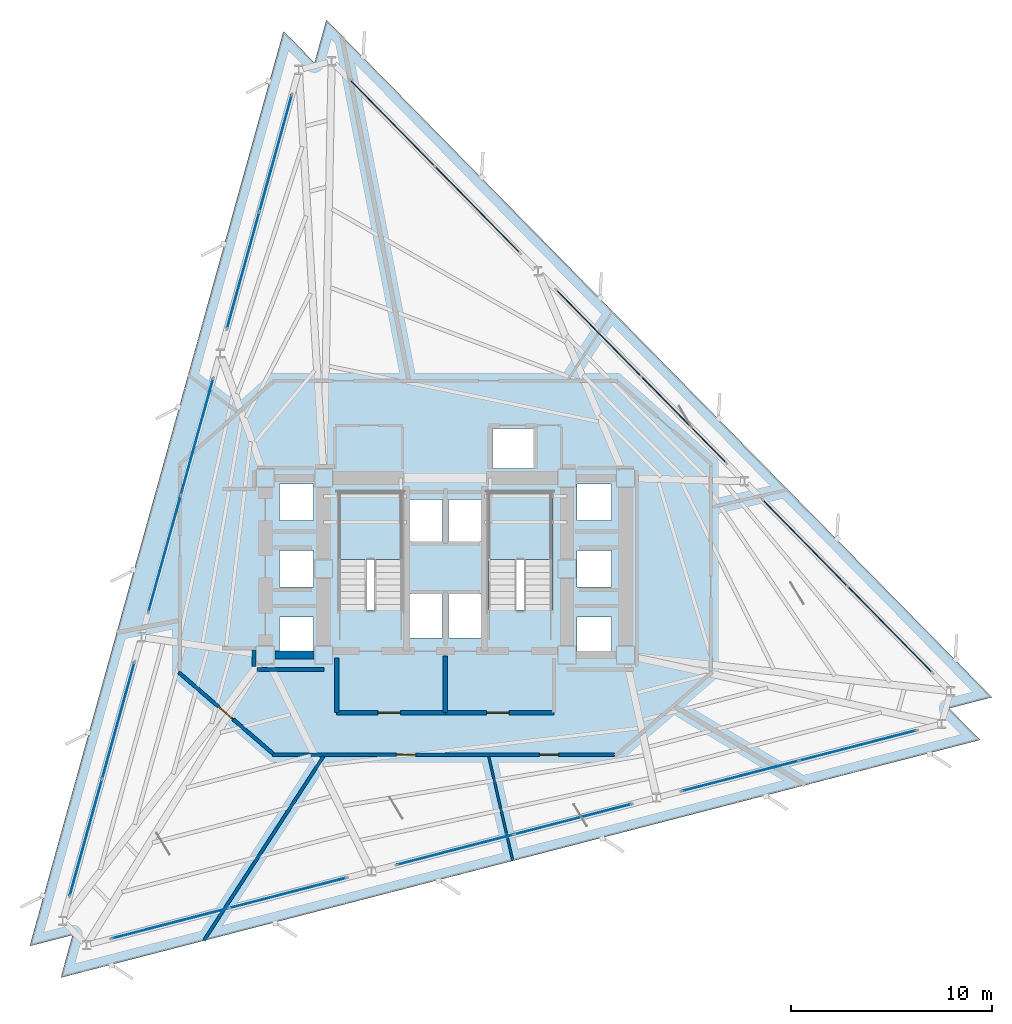
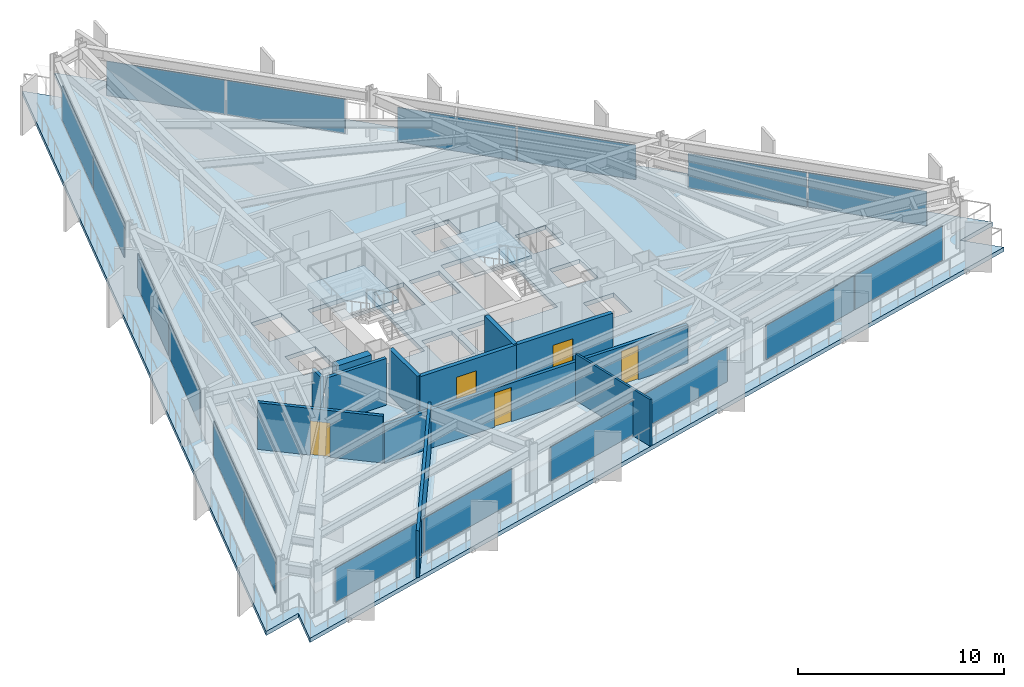
# One storey, part 6 of 11: 18 plates, 11 walls, 5 doors, 3 slabs, 5 openings, 11 elements without a shape of their own.
"""IFC4 building model written with IfcOpenShell, lengths in metres."""

from ifc_helpers import new_model, si_unit, direction, frame, frame_2d, origin, origin_2d, place, context, subcontext, project, spatial, polyline, rectangle, outline, extrude, material, layer, layer_set, type_object, element, fill, aggregate, save


model = new_model("IFC4")

# Units and contexts
model_context = context("Model", 3, precision=1e-05, world=origin(), true_north=direction((0.0, 1.0)))
body_context = subcontext(model_context, "Body", "Model", "MODEL_VIEW")
ifc_project = project(units=[si_unit("LENGTHUNIT", "METRE"), si_unit("AREAUNIT", "SQUARE_METRE"), si_unit("VOLUMEUNIT", "CUBIC_METRE"), si_unit("PLANEANGLEUNIT", "RADIAN"), si_unit("MASSUNIT", "GRAM", prefix="KILO")], contexts=[model_context])

# Site, building, storey
site_placement = place(None, origin())
site = spatial("IfcSite", under=ifc_project, at=site_placement, CompositionType="ELEMENT")
building_placement = place(site_placement, origin())
building = spatial("IfcBuilding", under=site, at=building_placement, Name="Rocaltana Carrier Exchange", CompositionType="ELEMENT")
storey_placement = place(building_placement, frame((0.0, 0.0, 82.56005859375)))
storey = spatial("IfcBuildingStorey", under=building, at=storey_placement, Name="L25", CompositionType="ELEMENT", Elevation=82.56005859375)

# Curtain wall, plates
ifc_material_1 = material(Name="Aluminium 6063-T6", Category="aluminium")
ifc_layer_1 = layer(ifc_material_1, 0.1650390625)
ifc_layer_set_1 = layer_set([ifc_layer_1], Name="Aluminium 6063-T6")
curtain_wall_type = type_object("IfcCurtainWallType", Name="Lower-Mid Stepped Curtain Wall CW-02", PredefinedType="NOTDEFINED", material=ifc_layer_set_1)
curtain_wall_1_placement = place(storey_placement, origin())
curtain_wall_1 = element("IfcCurtainWall", 1, at=curtain_wall_1_placement, inside=storey, type_object=curtain_wall_type, Name="L25 CW-02 Run CW-L25-F1S1", PredefinedType="NOTDEFINED")
ifc_material_2 = material(Name="Tempered Laminated Glass", Category="glass")
ifc_layer_2 = layer(ifc_material_2, 0.0419921875)
ifc_layer_set_2 = layer_set([ifc_layer_2], Name="Tempered Laminated Glass")
plate_type = type_object("IfcPlateType", Name="CW-02 Stone-Insulated Vision Panel", PredefinedType="CURTAIN_PANEL", material=ifc_layer_set_2)
plate_1_placement = place(storey_placement, frame((22.10400390625, -3.02490234375, 0.06494140625), z_axis=(0.0, 0.0, 1.0), x_axis=(-0.700915045542, 0.713244767898, 0.0)))
plate_1 = element("IfcPlate", 2, at=plate_1_placement, type_object=plate_type, Name="CW-02 panel 1.1", PredefinedType="CURTAIN_PANEL", context=body_context, shape_type="SweptSolid", body=[
    extrude(rectangle(XDim=5.96923828125, YDim=0.0419921875, at=origin_2d()), origin(), (0.0, 0.0, 1.0), 2.0380859375),
])
plate_2_placement = place(storey_placement, frame((17.874755859375, 1.279052734375, 0.06494140625), z_axis=(0.0, 0.0, 1.0), x_axis=(-0.700915045542, 0.713244767898, 0.0)))
plate_2 = element("IfcPlate", 3, at=plate_2_placement, type_object=plate_type, Name="CW-02 panel 2.1", PredefinedType="CURTAIN_PANEL", context=body_context, shape_type="SweptSolid", body=[
    extrude(rectangle(XDim=5.96923828125, YDim=0.0419921875, at=origin_2d()), origin(), (0.0, 0.0, 1.0), 2.0380859375),
])
aggregate(curtain_wall_1, [plate_1, plate_2])

curtain_wall_2_placement = place(storey_placement, origin())
curtain_wall_2 = element("IfcCurtainWall", 4, at=curtain_wall_2_placement, inside=storey, type_object=curtain_wall_type, Name="L25 CW-02 Run CW-L25-F1S2", PredefinedType="NOTDEFINED")
plate_3_placement = place(storey_placement, frame((11.847412109375, 7.412353515625, 0.06494140625), z_axis=(0.0, 0.0, 1.0), x_axis=(-0.700915118017, 0.713244696676, 0.0)))
plate_3 = element("IfcPlate", 5, at=plate_3_placement, type_object=plate_type, Name="CW-02 panel 1.1", PredefinedType="CURTAIN_PANEL", context=body_context, shape_type="SweptSolid", body=[
    extrude(rectangle(XDim=5.96923828125, YDim=0.0419921875, at=origin_2d()), origin(), (0.0, 0.0, 1.0), 2.0380859375),
])
plate_4_placement = place(storey_placement, frame((7.617919921875, 11.71630859375, 0.06494140625), z_axis=(0.0, 0.0, 1.0), x_axis=(-0.700915118017, 0.713244696676, 0.0)))
plate_4 = element("IfcPlate", 6, at=plate_4_placement, type_object=plate_type, Name="CW-02 panel 2.1", PredefinedType="CURTAIN_PANEL", context=body_context, shape_type="SweptSolid", body=[
    extrude(rectangle(XDim=5.96923828125, YDim=0.0419921875, at=origin_2d()), origin(), (0.0, 0.0, 1.0), 2.0380859375),
])
aggregate(curtain_wall_2, [plate_3, plate_4])

curtain_wall_3_placement = place(storey_placement, origin())
curtain_wall_3 = element("IfcCurtainWall", 7, at=curtain_wall_3_placement, inside=storey, type_object=curtain_wall_type, Name="L25 CW-02 Run CW-L25-F1S3", PredefinedType="NOTDEFINED")
plate_5_placement = place(storey_placement, frame((1.5908203125, 17.849609375, 0.06494140625), z_axis=(0.0, 0.0, 1.0), x_axis=(-0.700915045542, 0.713244767898, 0.0)))
plate_5 = element("IfcPlate", 8, at=plate_5_placement, type_object=plate_type, Name="CW-02 panel 1.1", PredefinedType="CURTAIN_PANEL", context=body_context, shape_type="SweptSolid", body=[
    extrude(rectangle(XDim=5.96923828125, YDim=0.0419921875, at=origin_2d()), origin(), (0.0, 0.0, 1.0), 2.0380859375),
])
plate_6_placement = place(storey_placement, frame((-2.638671875, 22.153564453125, 0.06494140625), z_axis=(0.0, 0.0, 1.0), x_axis=(-0.700915045542, 0.713244767898, 0.0)))
plate_6 = element("IfcPlate", 9, at=plate_6_placement, type_object=plate_type, Name="CW-02 panel 2.1", PredefinedType="CURTAIN_PANEL", context=body_context, shape_type="SweptSolid", body=[
    extrude(rectangle(XDim=5.96923828125, YDim=0.0419921875, at=origin_2d()), origin(), (0.0, 0.0, 1.0), 2.0380859375),
])
aggregate(curtain_wall_3, [plate_5, plate_6])

curtain_wall_4_placement = place(storey_placement, origin())
curtain_wall_4 = element("IfcCurtainWall", 10, at=curtain_wall_4_placement, inside=storey, type_object=curtain_wall_type, Name="L25 CW-02 Run CW-L25-F2S1", PredefinedType="NOTDEFINED")
plate_7_placement = place(storey_placement, frame((-8.432373046875, 20.655029296875, 0.06494140625), z_axis=(0.0, 0.0, 1.0), x_axis=(-0.267245546918, -0.96362846453, 0.0)))
plate_7 = element("IfcPlate", 11, at=plate_7_placement, type_object=plate_type, Name="CW-02 panel 1.1", PredefinedType="CURTAIN_PANEL", context=body_context, shape_type="SweptSolid", body=[
    extrude(rectangle(XDim=5.96923828125, YDim=0.0419921875, at=origin_2d()), origin(), (0.0, 0.0, 1.0), 2.0380859375),
])
plate_8_placement = place(storey_placement, frame((-10.045166015625, 14.84033203125, 0.06494140625), z_axis=(0.0, 0.0, 1.0), x_axis=(-0.267245546918, -0.96362846453, 0.0)))
plate_8 = element("IfcPlate", 12, at=plate_8_placement, type_object=plate_type, Name="CW-02 panel 2.1", PredefinedType="CURTAIN_PANEL", context=body_context, shape_type="SweptSolid", body=[
    extrude(rectangle(XDim=5.96923828125, YDim=0.0419921875, at=origin_2d()), origin(), (0.0, 0.0, 1.0), 2.0380859375),
])
aggregate(curtain_wall_4, [plate_7, plate_8])

curtain_wall_5_placement = place(storey_placement, origin())
curtain_wall_5 = element("IfcCurtainWall", 13, at=curtain_wall_5_placement, inside=storey, type_object=curtain_wall_type, Name="L25 CW-02 Run CW-L25-F2S2", PredefinedType="NOTDEFINED")
plate_9_placement = place(storey_placement, frame((-12.343017578125, 6.553955078125, 0.06494140625), z_axis=(0.0, 0.0, 1.0), x_axis=(-0.267237893807, -0.963630586954, 0.0)))
plate_9 = element("IfcPlate", 14, at=plate_9_placement, type_object=plate_type, Name="CW-02 panel 1.1", PredefinedType="CURTAIN_PANEL", context=body_context, shape_type="SweptSolid", body=[
    extrude(rectangle(XDim=5.96923828125, YDim=0.0419921875, at=origin_2d()), origin(), (0.0, 0.0, 1.0), 2.0380859375),
])
plate_10_placement = place(storey_placement, frame((-13.95556640625, 0.7392578125, 0.06494140625), z_axis=(0.0, 0.0, 1.0), x_axis=(-0.267237893807, -0.963630586954, 0.0)))
plate_10 = element("IfcPlate", 15, at=plate_10_placement, type_object=plate_type, Name="CW-02 panel 2.1", PredefinedType="CURTAIN_PANEL", context=body_context, shape_type="SweptSolid", body=[
    extrude(rectangle(XDim=5.96923828125, YDim=0.0419921875, at=origin_2d()), origin(), (0.0, 0.0, 1.0), 2.0380859375),
])
aggregate(curtain_wall_5, [plate_9, plate_10])

curtain_wall_6_placement = place(storey_placement, origin())
curtain_wall_6 = element("IfcCurtainWall", 16, at=curtain_wall_6_placement, inside=storey, type_object=curtain_wall_type, Name="L25 CW-02 Run CW-L25-F2S3", PredefinedType="NOTDEFINED")
plate_11_placement = place(storey_placement, frame((-16.253662109375, -7.547119140625, 0.06494140625), z_axis=(0.0, 0.0, 1.0), x_axis=(-0.267243424491, -0.963629053146, 0.0)))
plate_11 = element("IfcPlate", 17, at=plate_11_placement, type_object=plate_type, Name="CW-02 panel 1.1", PredefinedType="CURTAIN_PANEL", context=body_context, shape_type="SweptSolid", body=[
    extrude(rectangle(XDim=5.96923828125, YDim=0.0419921875, at=origin_2d()), origin(), (0.0, 0.0, 1.0), 2.0380859375),
])
plate_12_placement = place(storey_placement, frame((-17.8662109375, -13.36181640625, 0.06494140625), z_axis=(0.0, 0.0, 1.0), x_axis=(-0.267243424491, -0.963629053146, 0.0)))
plate_12 = element("IfcPlate", 18, at=plate_12_placement, type_object=plate_type, Name="CW-02 panel 2.1", PredefinedType="CURTAIN_PANEL", context=body_context, shape_type="SweptSolid", body=[
    extrude(rectangle(XDim=5.96923828125, YDim=0.0419921875, at=origin_2d()), origin(), (0.0, 0.0, 1.0), 2.0380859375),
])
aggregate(curtain_wall_6, [plate_11, plate_12])

curtain_wall_7_placement = place(storey_placement, origin())
curtain_wall_7 = element("IfcCurtainWall", 19, at=curtain_wall_7_placement, inside=storey, type_object=curtain_wall_type, Name="L25 CW-02 Run CW-L25-F3S1", PredefinedType="NOTDEFINED")
plate_13_placement = place(storey_placement, frame((-13.671630859375, -17.63037109375, 0.06494140625), z_axis=(0.0, 0.0, 1.0), x_axis=(0.968148220548, 0.250377760692, 0.0)))
plate_13 = element("IfcPlate", 20, at=plate_13_placement, type_object=plate_type, Name="CW-02 panel 1.1", PredefinedType="CURTAIN_PANEL", context=body_context, shape_type="SweptSolid", body=[
    extrude(rectangle(XDim=5.96923828125, YDim=0.0419921875, at=origin_2d()), origin(), (0.0, 0.0, 1.0), 2.0380859375),
])
plate_14_placement = place(storey_placement, frame((-7.82958984375, -16.119384765625, 0.06494140625), z_axis=(0.0, 0.0, 1.0), x_axis=(0.968148220548, 0.250377760692, 0.0)))
plate_14 = element("IfcPlate", 21, at=plate_14_placement, type_object=plate_type, Name="CW-02 panel 2.1", PredefinedType="CURTAIN_PANEL", context=body_context, shape_type="SweptSolid", body=[
    extrude(rectangle(XDim=5.96923828125, YDim=0.0419921875, at=origin_2d()), origin(), (0.0, 0.0, 1.0), 2.0380859375),
])
aggregate(curtain_wall_7, [plate_13, plate_14])

curtain_wall_8_placement = place(storey_placement, origin())
curtain_wall_8 = element("IfcCurtainWall", 22, at=curtain_wall_8_placement, inside=storey, type_object=curtain_wall_type, Name="L25 CW-02 Run CW-L25-F3S2", PredefinedType="NOTDEFINED")
plate_15_placement = place(storey_placement, frame((0.49560546875, -13.96630859375, 0.06494140625), z_axis=(0.0, 0.0, 1.0), x_axis=(0.968148220548, 0.250377760692, 0.0)))
plate_15 = element("IfcPlate", 23, at=plate_15_placement, type_object=plate_type, Name="CW-02 panel 1.1", PredefinedType="CURTAIN_PANEL", context=body_context, shape_type="SweptSolid", body=[
    extrude(rectangle(XDim=5.96923828125, YDim=0.0419921875, at=origin_2d()), origin(), (0.0, 0.0, 1.0), 2.0380859375),
])
plate_16_placement = place(storey_placement, frame((6.337646484375, -12.45556640625, 0.06494140625), z_axis=(0.0, 0.0, 1.0), x_axis=(0.968148220548, 0.250377760692, 0.0)))
plate_16 = element("IfcPlate", 24, at=plate_16_placement, type_object=plate_type, Name="CW-02 panel 2.1", PredefinedType="CURTAIN_PANEL", context=body_context, shape_type="SweptSolid", body=[
    extrude(rectangle(XDim=5.96923828125, YDim=0.0419921875, at=origin_2d()), origin(), (0.0, 0.0, 1.0), 2.0380859375),
])
aggregate(curtain_wall_8, [plate_15, plate_16])

curtain_wall_9_placement = place(storey_placement, origin())
curtain_wall_9 = element("IfcCurtainWall", 25, at=curtain_wall_9_placement, inside=storey, type_object=curtain_wall_type, Name="L25 CW-02 Run CW-L25-F3S3", PredefinedType="NOTDEFINED")
plate_17_placement = place(storey_placement, frame((14.662841796875, -10.302490234375, 0.06494140625), z_axis=(0.0, 0.0, 1.0), x_axis=(0.96815021836, 0.250370035526, 0.0)))
plate_17 = element("IfcPlate", 26, at=plate_17_placement, type_object=plate_type, Name="CW-02 panel 1.1", PredefinedType="CURTAIN_PANEL", context=body_context, shape_type="SweptSolid", body=[
    extrude(rectangle(XDim=5.96923828125, YDim=0.0419921875, at=origin_2d()), origin(), (0.0, 0.0, 1.0), 2.0380859375),
])
plate_18_placement = place(storey_placement, frame((20.5048828125, -8.791748046875, 0.06494140625), z_axis=(0.0, 0.0, 1.0), x_axis=(0.96815021836, 0.250370035526, 0.0)))
plate_18 = element("IfcPlate", 27, at=plate_18_placement, type_object=plate_type, Name="CW-02 panel 2.1", PredefinedType="CURTAIN_PANEL", context=body_context, shape_type="SweptSolid", body=[
    extrude(rectangle(XDim=5.96923828125, YDim=0.0419921875, at=origin_2d()), origin(), (0.0, 0.0, 1.0), 2.0380859375),
])
aggregate(curtain_wall_9, [plate_17, plate_18])

# Slab
ifc_material_3 = material(Name="Concrete C50/60", Category="concrete")
ifc_layer_3 = layer(ifc_material_3, 0.25)
ifc_layer_set_3 = layer_set([ifc_layer_3], Name="Concrete C50/60")
slab_type_1 = type_object("IfcSlabType", Name="Mid-Zone Tower Slab 250", PredefinedType="FLOOR", material=ifc_layer_set_3)
slab_1_placement = place(storey_placement, frame((0.0, 0.0, -0.25)))
element("IfcSlab", 28, at=slab_1_placement, inside=storey, type_object=slab_type_1, Name="L25 Structural Floor Slab", PredefinedType="FLOOR", context=body_context, shape_type="SweptSolid", body=[
    extrude(outline(polyline([(26.577880859375, -8.51220703125), (25.035888671875, -6.943115234375), (27.165771484375, -6.39208984375), (-5.9169921875, 27.273193359375), (-6.505126953125, 25.1533203125), (-8.047119140625, 26.722412109375), (-20.66064453125, -18.760986328125), (-18.53076171875, -18.210205078125), (-19.11865234375, -20.330078125), (26.577880859375, -8.51220703125)]), holes=[polyline([(-5.300048828125, -2.06005859375), (-2.139892578125, -2.06005859375), (-2.139892578125, 3.800048828125), (-5.300048828125, 3.800048828125), (-5.300048828125, -2.06005859375)]), polyline([(2.139892578125, -2.06005859375), (5.300048828125, -2.06005859375), (5.300048828125, 3.800048828125), (2.139892578125, 3.800048828125), (2.139892578125, -2.06005859375)]), polyline([(-1.85009765625, -3.449951171875), (-0.14990234375, -3.449951171875), (-0.14990234375, -1.25), (-1.85009765625, -1.25), (-1.85009765625, -3.449951171875)]), polyline([(0.14990234375, -3.449951171875), (1.85009765625, -3.449951171875), (1.85009765625, -1.25), (0.14990234375, -1.25), (0.14990234375, -3.449951171875)]), polyline([(2.35009765625, 4.97998046875), (4.39990234375, 4.97998046875), (4.39990234375, 6.97998046875), (2.35009765625, 6.97998046875), (2.35009765625, 4.97998046875)]), polyline([(-1.85009765625, 1.35009765625), (-0.14990234375, 1.35009765625), (-0.14990234375, 3.449951171875), (-1.85009765625, 3.449951171875), (-1.85009765625, 1.35009765625)]), polyline([(0.14990234375, 1.35009765625), (1.85009765625, 1.35009765625), (1.85009765625, 3.449951171875), (0.14990234375, 3.449951171875), (0.14990234375, 1.35009765625)]), polyline([(-8.25, -4.199951171875), (-6.550048828125, -4.199951171875), (-6.550048828125, -2.39990234375), (-8.25, -2.39990234375), (-8.25, -4.199951171875)]), polyline([(-8.25, -0.89990234375), (-6.550048828125, -0.89990234375), (-6.550048828125, 0.89990234375), (-8.25, 0.89990234375), (-8.25, -0.89990234375)]), polyline([(-8.25, 2.39990234375), (-6.550048828125, 2.39990234375), (-6.550048828125, 4.199951171875), (-8.25, 4.199951171875), (-8.25, 2.39990234375)]), polyline([(6.550048828125, -4.199951171875), (8.25, -4.199951171875), (8.25, -2.39990234375), (6.550048828125, -2.39990234375), (6.550048828125, -4.199951171875)]), polyline([(6.550048828125, -0.89990234375), (8.25, -0.89990234375), (8.25, 0.89990234375), (6.550048828125, 0.89990234375), (6.550048828125, -0.89990234375)]), polyline([(6.550048828125, 2.39990234375), (8.25, 2.39990234375), (8.25, 4.199951171875), (6.550048828125, 4.199951171875), (6.550048828125, 2.39990234375)])]), origin(), (0.0, 0.0, 1.0), 0.25),
])

# Stair, slab
ifc_material_4 = material(Name="Precast concrete C45/55", Category="concrete")
stair_type = type_object("IfcStairType", Name="Standard Dog-Leg Stair 160", PredefinedType="HALF_TURN_STAIR", material=ifc_material_4)
stair_1_placement = place(storey_placement, origin())
stair_1 = element("IfcStair", 29, at=stair_1_placement, inside=storey, type_object=stair_type, Name="L25 Core West Exit Stair ST-1", PredefinedType="HALF_TURN_STAIR")
ifc_material_5 = material(Name="Precast concrete C45/55", Category="concrete")
ifc_layer_4 = layer(ifc_material_5, 0.199951171875)
ifc_layer_set_4 = layer_set([ifc_layer_4], Name="Precast concrete C45/55")
slab_type_2 = type_object("IfcSlabType", Name="Precast Stair Half-Landing 200", PredefinedType="LANDING", material=ifc_layer_set_4)
slab_2_placement = place(storey_placement, frame((0.0, 0.0, 1.31982421875)))
slab_2 = element("IfcSlab", 30, at=slab_2_placement, type_object=slab_type_2, Name="ST-1 landing 1", PredefinedType="LANDING", context=body_context, shape_type="SweptSolid", body=[
    extrude(outline(polyline([(-2.139892578125, 0.4599609375), (-2.139892578125, 3.800048828125), (-5.300048828125, 3.800048828125), (-5.300048828125, 0.4599609375), (-2.139892578125, 0.4599609375)])), origin(), (0.0, 0.0, 1.0), 0.2001953125),
])
aggregate(stair_1, [slab_2])

stair_2_placement = place(storey_placement, origin())
stair_2 = element("IfcStair", 31, at=stair_2_placement, inside=storey, type_object=stair_type, Name="L25 Core East Exit Stair ST-2", PredefinedType="HALF_TURN_STAIR")
slab_3_placement = place(storey_placement, frame((0.0, 0.0, 1.31982421875)))
slab_3 = element("IfcSlab", 32, at=slab_3_placement, type_object=slab_type_2, Name="ST-2 landing 1", PredefinedType="LANDING", context=body_context, shape_type="SweptSolid", body=[
    extrude(outline(polyline([(5.300048828125, 0.4599609375), (5.300048828125, 3.800048828125), (2.139892578125, 3.800048828125), (2.139892578125, 0.4599609375), (5.300048828125, 0.4599609375)])), origin(), (0.0, 0.0, 1.0), 0.2001953125),
])
aggregate(stair_2, [slab_3])

# Walls
ifc_material_6 = material(Name="Double Acoustic Gypsum Partition", Category="gypsum")
ifc_layer_5 = layer(ifc_material_6, 0.159912109375)
ifc_layer_set_5 = layer_set([ifc_layer_5], Name="Double Acoustic Gypsum Partition")
wall_type_1 = type_object("IfcWallType", Name="Acoustic Studio Partition 160 EI60", PredefinedType="PARTITIONING", material=ifc_layer_set_5)
wall_1_placement = place(storey_placement, frame((-6.05908203125, -9.330078125, 0.0), z_axis=(0.0, 0.0, 1.0), x_axis=(-0.544635087887, -0.838673131227, 0.0)))
element("IfcWall", 33, at=wall_1_placement, inside=storey, type_object=wall_type_1, Name="L25 Suite Divider Wall D2", PredefinedType="PARTITIONING", context=body_context, shape_type="SweptSolid", body=[
    extrude(rectangle(XDim=10.908447265625, YDim=0.159912109375, at=frame_2d((5.4541015625, 0.0))), origin(), (0.0, 0.0, 1.0), 2.762939453125),
])
ifc_material_7 = material(Name="Concrete C50/60", Category="concrete")
ifc_layer_6 = layer(ifc_material_7, 0.39990234375)
ifc_layer_set_6 = layer_set([ifc_layer_6], Name="Concrete C50/60")
wall_type_2 = type_object("IfcWallType", Name="Core Internal Shear Wall 400", PredefinedType="SHEAR", material=ifc_layer_set_6)
wall_2_placement = place(storey_placement, frame((-8.47509765625, -4.300048828125, 0.0), z_axis=(0.0, 0.0, 1.0), x_axis=(1.0, 0.0, 0.0)))
element("IfcWall", 34, at=wall_2_placement, inside=storey, type_object=wall_type_2, Name="L25 Core Shear Wall CW-WWS", PredefinedType="SHEAR", context=body_context, shape_type="SweptSolid", body=[
    extrude(rectangle(XDim=1.9501953125, YDim=0.39990234375, at=frame_2d((0.97509765625, 0.0))), origin(), (0.0, 0.0, 1.0), 2.787841796875),
])

# Wall, openings, doors
ifc_material_8 = material(Name="Gypsum & Steel Stud Partition", Category="steel")
ifc_layer_7 = layer(ifc_material_8, 0.179931640625)
ifc_layer_set_7 = layer_set([ifc_layer_7], Name="Gypsum & Steel Stud Partition")
wall_type_3 = type_object("IfcWallType", Name="Corridor Fire Partition 180 EI60", PredefinedType="PARTITIONING", material=ifc_layer_set_7)
wall_3_placement = place(storey_placement, frame((8.409912109375, -9.25, 0.0), z_axis=(0.0, 0.0, 1.0), x_axis=(-1.0, 0.0, 0.0)))
wall_3 = element("IfcWall", 35, at=wall_3_placement, inside=storey, type_object=wall_type_3, Name="L25 Corridor Partition 5", PredefinedType="PARTITIONING", context=body_context, shape_type="SweptSolid", body=[
    extrude(rectangle(XDim=17.0, YDim=0.179931640625, at=frame_2d((8.5, 0.0))), origin(), (0.0, 0.0, 1.0), 2.27685546875),
])
opening_1_placement = place(wall_3_placement, frame((9.88818359375, 0.0, 0.0)))
opening_1 = element("IfcOpeningElement", 36, at=opening_1_placement, cuts=wall_3, Name="Opening D-RM098", PredefinedType="OPENING", context=body_context, shape_type="SweptSolid", body=[
    extrude(rectangle(XDim=0.9599609375, YDim=2.02001953125, at=frame_2d((0.47998046875, 1.010009765625))), frame((0.0, 0.099853515625, 0.0), z_axis=(0.0, -1.0, 0.0), x_axis=(1.0, 0.0, 0.0)), (0.0, 0.0, 1.0), 0.199951171875),
])
opening_2_placement = place(wall_3_placement, frame((2.777099609375, 0.0, 0.0)))
opening_2 = element("IfcOpeningElement", 37, at=opening_2_placement, cuts=wall_3, Name="Opening D-RM098", PredefinedType="OPENING", context=body_context, shape_type="SweptSolid", body=[
    extrude(rectangle(XDim=0.9599609375, YDim=2.02001953125, at=frame_2d((0.47998046875, 1.010009765625))), frame((0.0, 0.099853515625, 0.0), z_axis=(0.0, -1.0, 0.0), x_axis=(1.0, 0.0, 0.0)), (0.0, 0.0, 1.0), 0.199951171875),
])
ifc_material_9 = material(Name="Engineered Hardwood Timber", Category="wood")
door_type_1 = type_object("IfcDoorType", Name="Workspace Single Door 960x2020", OperationType="NOTDEFINED", PredefinedType="DOOR", material=ifc_material_9)
door_1_placement = place(opening_1_placement, origin())
door_1 = element("IfcDoor", 38, at=door_1_placement, inside=storey, type_object=door_type_1, Name="L25 Incident Briefing Room Entrance Door", OperationType="SINGLE_SWING_LEFT", OverallHeight=2.02001953125, OverallWidth=0.9599609375, PredefinedType="DOOR", context=body_context, shape_type="SweptSolid", body=[
    extrude(rectangle(XDim=0.9599609375, YDim=2.02001953125, at=frame_2d((0.47998046875, 1.010009765625))), frame((0.0, 0.02490234375, 0.0), z_axis=(0.0, -1.0, 0.0), x_axis=(1.0, 0.0, 0.0)), (0.0, 0.0, 1.0), 0.050048828125),
])
fill(opening_1, door_1)
door_2_placement = place(opening_2_placement, origin())
door_2 = element("IfcDoor", 39, at=door_2_placement, inside=storey, type_object=door_type_1, Name="L25 Peering Conference Room Entrance Door", OperationType="SINGLE_SWING_RIGHT", OverallHeight=2.02001953125, OverallWidth=0.9599609375, PredefinedType="DOOR", context=body_context, shape_type="SweptSolid", body=[
    extrude(rectangle(XDim=0.9599609375, YDim=2.02001953125, at=frame_2d((0.47998046875, 1.010009765625))), frame((0.0, 0.02490234375, 0.0), z_axis=(0.0, -1.0, 0.0), x_axis=(1.0, 0.0, 0.0)), (0.0, 0.0, 1.0), 0.050048828125),
])
fill(opening_2, door_2)

# Wall, opening, door
wall_4_placement = place(storey_placement, frame((-8.568115234375, -9.191162109375, 0.0), z_axis=(0.0, 0.0, 1.0), x_axis=(-0.757556899173, 0.652769135694, 0.0)))
wall_4 = element("IfcWall", 40, at=wall_4_placement, inside=storey, type_object=wall_type_3, Name="L25 Corridor Partition 6", PredefinedType="PARTITIONING", context=body_context, shape_type="SweptSolid", body=[
    extrude(rectangle(XDim=6.204345703125, YDim=0.179931640625, at=frame_2d((3.10205078125, 0.0))), origin(), (0.0, 0.0, 1.0), 2.762939453125),
])
opening_3_placement = place(wall_4_placement, frame((2.6220703125, 0.0, 0.0)))
opening_3 = element("IfcOpeningElement", 41, at=opening_3_placement, cuts=wall_4, Name="Opening D-RM098", PredefinedType="OPENING", context=body_context, shape_type="SweptSolid", body=[
    extrude(rectangle(XDim=0.9599609375, YDim=2.02001953125, at=frame_2d((0.47998046875, 1.010009765625))), frame((0.0, 0.099853515625, 0.0), z_axis=(0.0, -1.0, 0.0), x_axis=(1.0, 0.0, 0.0)), (0.0, 0.0, 1.0), 0.199951171875),
])
door_3_placement = place(opening_3_placement, origin())
door_3 = element("IfcDoor", 42, at=door_3_placement, inside=storey, type_object=door_type_1, Name="L25 Peering Conference Room Entrance Door", OperationType="SINGLE_SWING_RIGHT", OverallHeight=2.02001953125, OverallWidth=0.9599609375, PredefinedType="DOOR", context=body_context, shape_type="SweptSolid", body=[
    extrude(rectangle(XDim=0.9599609375, YDim=2.02001953125, at=frame_2d((0.47998046875, 1.010009765625))), frame((0.0, 0.02490234375, 0.0), z_axis=(0.0, -1.0, 0.0), x_axis=(1.0, 0.0, 0.0)), (0.0, 0.0, 1.0), 0.050048828125),
])
fill(opening_3, door_3)

# Walls
wall_5_placement = place(storey_placement, frame((-9.510009765625, -4.050048828125, 0.0), z_axis=(0.0, 0.0, 1.0), x_axis=(0.0, -1.0, 0.0)))
element("IfcWall", 43, at=wall_5_placement, inside=storey, type_object=wall_type_3, Name="L25 Corridor Partition 12", PredefinedType="PARTITIONING", context=body_context, shape_type="SweptSolid", body=[
    extrude(rectangle(XDim=0.820068359375, YDim=0.179931640625, at=frame_2d((0.41015625, 0.0))), origin(), (0.0, 0.0, 1.0), 2.762939453125),
])
wall_6_placement = place(storey_placement, frame((-9.3701171875, -5.010009765625, 0.0), z_axis=(0.0, 0.0, 1.0), x_axis=(1.0, 0.0, 0.0)))
element("IfcWall", 44, at=wall_6_placement, inside=storey, type_object=wall_type_3, Name="L25 Corridor Partition 13", PredefinedType="PARTITIONING", context=body_context, shape_type="SweptSolid", body=[
    extrude(rectangle(XDim=3.340087890625, YDim=0.179931640625, at=frame_2d((1.669921875, 0.0))), origin(), (0.0, 0.0, 1.0), 2.762939453125),
])
ifc_material_10 = material(Name="Aluminium 6063-T6 & Acoustic Glass", Category="aluminium")
ifc_layer_8 = layer(ifc_material_10, 0.114990234375)
ifc_layer_set_8 = layer_set([ifc_layer_8], Name="Aluminium 6063-T6 & Acoustic Glass")
wall_type_4 = type_object("IfcWallType", Name="Demountable Glazed Lab Partition 115", PredefinedType="MOVABLE", material=ifc_layer_set_8)
wall_7_placement = place(storey_placement, frame((2.154052734375, -9.330078125, 0.0), z_axis=(0.0, 0.0, 1.0), x_axis=(0.22493330832, -0.974374161607, 0.0)))
element("IfcWall", 45, at=wall_7_placement, inside=storey, type_object=wall_type_4, Name="L25 Suite Divider Wall D3", PredefinedType="MOVABLE", context=body_context, shape_type="SweptSolid", body=[
    extrude(rectangle(XDim=5.315185546875, YDim=0.114990234375, at=frame_2d((2.65771484375, 0.0))), origin(), (0.0, 0.0, 1.0), 2.762939453125),
])
ifc_material_11 = material(Name="Autoclaved Aerated Concrete C30/37", Category="concrete")
ifc_layer_9 = layer(ifc_material_11, 0.219970703125)
ifc_layer_set_9 = layer_set([ifc_layer_9], Name="Autoclaved Aerated Concrete C30/37")
wall_type_5 = type_object("IfcWallType", Name="Firefighting Lobby Wall 220 EI120", PredefinedType="PARTITIONING", material=ifc_layer_set_9)
wall_8_placement = place(storey_placement, frame((-5.39990234375, -7.159912109375, 0.0), z_axis=(0.0, 0.0, 1.0), x_axis=(0.0, 1.0, 0.0)))
element("IfcWall", 46, at=wall_8_placement, inside=storey, type_object=wall_type_5, Name="L25 FFL Lobby 1 West Wall", PredefinedType="PARTITIONING", context=body_context, shape_type="SweptSolid", body=[
    extrude(rectangle(XDim=2.7099609375, YDim=0.219970703125, at=frame_2d((1.35498046875, 0.0))), origin(), (0.0, 0.0, 1.0), 2.762939453125),
])
wall_9_placement = place(storey_placement, frame((0.0, -7.159912109375, 0.0), z_axis=(0.0, 0.0, 1.0), x_axis=(0.0, 1.0, 0.0)))
element("IfcWall", 47, at=wall_9_placement, inside=storey, type_object=wall_type_5, Name="L25 FFL Lobby Centre Wall", PredefinedType="PARTITIONING", context=body_context, shape_type="SweptSolid", body=[
    extrude(rectangle(XDim=2.809814453125, YDim=0.219970703125, at=frame_2d((1.40478515625, 0.0))), origin(), (0.0, 0.0, 1.0), 2.762939453125),
])

# Wall, opening, door
wall_10_placement = place(storey_placement, frame((-5.39990234375, -7.159912109375, 0.0), z_axis=(0.0, 0.0, 1.0), x_axis=(1.0, 0.0, 0.0)))
wall_10 = element("IfcWall", 48, at=wall_10_placement, inside=storey, type_object=wall_type_5, Name="L25 FFL Lobby 1 South Wall", PredefinedType="PARTITIONING", context=body_context, shape_type="SweptSolid", body=[
    extrude(rectangle(XDim=5.39990234375, YDim=0.219970703125, at=frame_2d((2.699951171875, 0.0))), origin(), (0.0, 0.0, 1.0), 2.762939453125),
])
opening_4_placement = place(wall_10_placement, frame((2.050048828125, 0.0, 0.0)))
opening_4 = element("IfcOpeningElement", 49, at=opening_4_placement, cuts=wall_10, Name="Opening D-FF115", PredefinedType="OPENING", context=body_context, shape_type="SweptSolid", body=[
    extrude(rectangle(XDim=1.1201171875, YDim=2.02001953125, at=frame_2d((0.56005859375, 1.010009765625))), frame((0.0, 0.119873046875, 0.0), z_axis=(0.0, -1.0, 0.0), x_axis=(1.0, 0.0, 0.0)), (0.0, 0.0, 1.0), 0.239990234375),
])
ifc_material_12 = material(Name="Hollow Metal Fire Door Assembly", Category="steel")
door_type_2 = type_object("IfcDoorType", Name="Firefighting Lobby Door 1120x2020 FD60S", OperationType="NOTDEFINED", PredefinedType="DOOR", material=ifc_material_12)
door_4_placement = place(opening_4_placement, origin())
door_4 = element("IfcDoor", 50, at=door_4_placement, inside=storey, type_object=door_type_2, Name="L25 Firefighting Lift Lobby 1 Door", OperationType="SINGLE_SWING_RIGHT", OverallHeight=2.02001953125, OverallWidth=1.1201171875, PredefinedType="DOOR", context=body_context, shape_type="SweptSolid", body=[
    extrude(rectangle(XDim=1.1201171875, YDim=2.02001953125, at=frame_2d((0.56005859375, 1.010009765625))), frame((0.0, 0.02490234375, 0.0), z_axis=(0.0, -1.0, 0.0), x_axis=(1.0, 0.0, 0.0)), (0.0, 0.0, 1.0), 0.050048828125),
])
fill(opening_4, door_4)

wall_11_placement = place(storey_placement, frame((0.0, -7.159912109375, 0.0), z_axis=(0.0, 0.0, 1.0), x_axis=(1.0, 0.0, 0.0)))
wall_11 = element("IfcWall", 51, at=wall_11_placement, inside=storey, type_object=wall_type_5, Name="L25 FFL Lobby 2 South Wall", PredefinedType="PARTITIONING", context=body_context, shape_type="SweptSolid", body=[
    extrude(rectangle(XDim=5.39990234375, YDim=0.219970703125, at=frame_2d((2.699951171875, 0.0))), origin(), (0.0, 0.0, 1.0), 2.762939453125),
])
opening_5_placement = place(wall_11_placement, frame((2.050048828125, 0.0, 0.0)))
opening_5 = element("IfcOpeningElement", 52, at=opening_5_placement, cuts=wall_11, Name="Opening D-FF115", PredefinedType="OPENING", context=body_context, shape_type="SweptSolid", body=[
    extrude(rectangle(XDim=1.1201171875, YDim=2.02001953125, at=frame_2d((0.56005859375, 1.010009765625))), frame((0.0, 0.119873046875, 0.0), z_axis=(0.0, -1.0, 0.0), x_axis=(1.0, 0.0, 0.0)), (0.0, 0.0, 1.0), 0.239990234375),
])
door_5_placement = place(opening_5_placement, origin())
door_5 = element("IfcDoor", 53, at=door_5_placement, inside=storey, type_object=door_type_2, Name="L25 Firefighting Lift Lobby 2 Door", OperationType="SINGLE_SWING_LEFT", OverallHeight=2.02001953125, OverallWidth=1.1201171875, PredefinedType="DOOR", context=body_context, shape_type="SweptSolid", body=[
    extrude(rectangle(XDim=1.1201171875, YDim=2.02001953125, at=frame_2d((0.56005859375, 1.010009765625))), frame((0.0, 0.02490234375, 0.0), z_axis=(0.0, -1.0, 0.0), x_axis=(1.0, 0.0, 0.0)), (0.0, 0.0, 1.0), 0.050048828125),
])
fill(opening_5, door_5)

save(model, "model.ifc")
